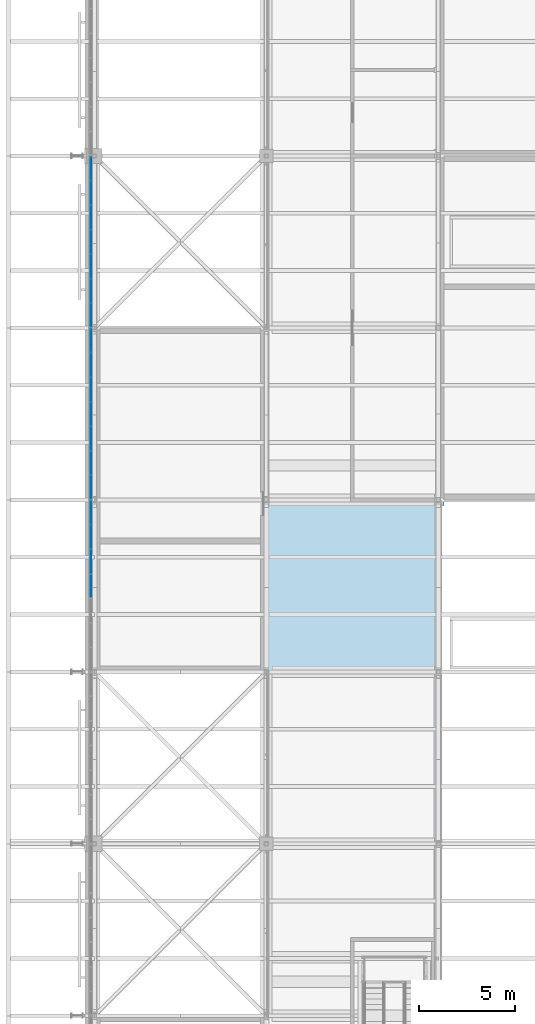
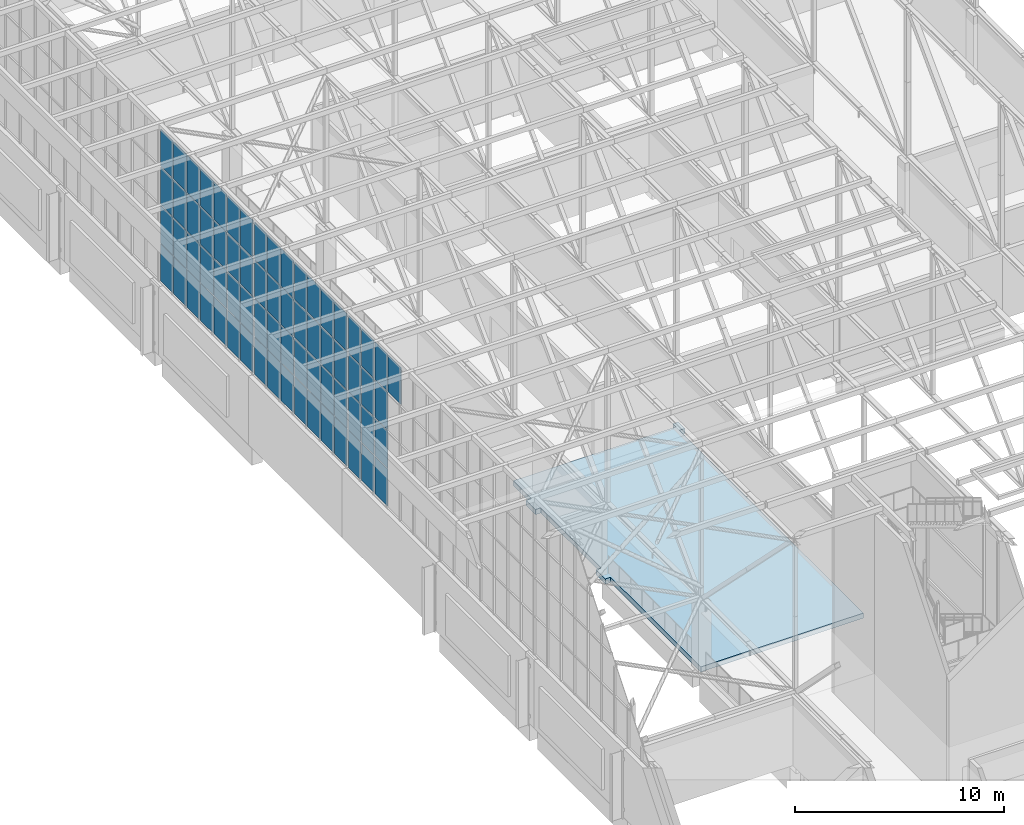
# One storey, part 149 of 646: 69 plates, 1 slab, 3 elements without a shape of their own.
"""IFC4 building model written with IfcOpenShell, lengths in metres."""

from ifc_helpers import new_model, si_unit, direction, frame, origin, origin_2d, place, context, subcontext, project, spatial, polyline, rectangle, outline, extrude, material, layer, layer_set, type_object, element, aggregate, save


model = new_model("IFC4")

# Units and contexts
model_context = context("Model", 3, precision=1e-05, world=origin(), true_north=direction((0.0, 1.0)))
body_context = subcontext(model_context, "Body", "Model", "MODEL_VIEW")
ifc_project = project(units=[si_unit("LENGTHUNIT", "METRE"), si_unit("AREAUNIT", "SQUARE_METRE"), si_unit("VOLUMEUNIT", "CUBIC_METRE"), si_unit("PLANEANGLEUNIT", "RADIAN"), si_unit("MASSUNIT", "GRAM", prefix="KILO")], contexts=[model_context])

# Site, building, storey
site_placement = place(None, origin())
site = spatial("IfcSite", under=ifc_project, at=site_placement, CompositionType="ELEMENT")
building_placement = place(site_placement, origin())
building = spatial("IfcBuilding", under=site, at=building_placement, Name="Silverbay Arena", CompositionType="ELEMENT")
storey_placement = place(building_placement, frame((0.0, 0.0, 33.5)))
storey = spatial("IfcBuildingStorey", under=building, at=storey_placement, Name="L05", CompositionType="ELEMENT", Elevation=33.5)

# Curtain wall, plates
ifc_material_1 = material(Name="Aluminium framed glazing", Category="aluminium")
curtain_wall_type = type_object("IfcCurtainWallType", Name="Curtain wall clerestory 9000 x 9000", PredefinedType="NOTDEFINED", material=ifc_material_1)
curtain_wall_1_placement = place(storey_placement, origin())
curtain_wall_1 = element("IfcCurtainWall", 1, at=curtain_wall_1_placement, inside=storey, type_object=curtain_wall_type, Name="ROOF GABLE CLERESTORY CURTAIN WALL west bay 10", PredefinedType="NOTDEFINED")
ifc_material_2 = material(Name="Laminated glass", Category="glass")
ifc_layer_1 = layer(ifc_material_2, 0.028076171875)
ifc_layer_set_1 = layer_set([ifc_layer_1], Name="Laminated glass")
plate_type = type_object("IfcPlateType", Name="Glass panel 28", PredefinedType="CURTAIN_PANEL", material=ifc_layer_set_1)
plate_1_placement = place(storey_placement, frame((53.820068359375, 94.5, 10.77490234375), z_axis=(0.0, 0.0, 1.0), x_axis=(0.0, 1.0, 0.0)))
plate_1 = element("IfcPlate", 2, at=plate_1_placement, type_object=plate_type, Name="CW60 panel 4.4", PredefinedType="CURTAIN_PANEL", context=body_context, shape_type="SweptSolid", body=[
    extrude(rectangle(XDim=1.225830078125, YDim=0.028076171875, at=origin_2d()), origin(), (0.0, 0.0, 1.0), 2.175048828125),
])
plate_2_placement = place(storey_placement, frame((53.820068359375, 95.78564453125, 4.0498046875), z_axis=(0.0, 0.0, 1.0), x_axis=(0.0, 1.0, 0.0)))
plate_2 = element("IfcPlate", 3, at=plate_2_placement, type_object=plate_type, Name="CW60 panel 5.1", PredefinedType="CURTAIN_PANEL", context=body_context, shape_type="SweptSolid", body=[
    extrude(rectangle(XDim=1.225830078125, YDim=0.028076171875, at=origin_2d()), origin(), (0.0, 0.0, 1.0), 2.175048828125),
])
plate_3_placement = place(storey_placement, frame((53.820068359375, 95.78564453125, 6.27490234375), z_axis=(0.0, 0.0, 1.0), x_axis=(0.0, 1.0, 0.0)))
plate_3 = element("IfcPlate", 4, at=plate_3_placement, type_object=plate_type, Name="CW60 panel 5.2", PredefinedType="CURTAIN_PANEL", context=body_context, shape_type="SweptSolid", body=[
    extrude(rectangle(XDim=1.225830078125, YDim=0.028076171875, at=origin_2d()), origin(), (0.0, 0.0, 1.0), 2.199951171875),
])
plate_4_placement = place(storey_placement, frame((53.820068359375, 95.78564453125, 8.52490234375), z_axis=(0.0, 0.0, 1.0), x_axis=(0.0, 1.0, 0.0)))
plate_4 = element("IfcPlate", 5, at=plate_4_placement, type_object=plate_type, Name="CW60 panel 5.3", PredefinedType="CURTAIN_PANEL", context=body_context, shape_type="SweptSolid", body=[
    extrude(rectangle(XDim=1.225830078125, YDim=0.028076171875, at=origin_2d()), origin(), (0.0, 0.0, 1.0), 2.199951171875),
])
plate_5_placement = place(storey_placement, frame((53.820068359375, 95.78564453125, 10.77490234375), z_axis=(0.0, 0.0, 1.0), x_axis=(0.0, 1.0, 0.0)))
plate_5 = element("IfcPlate", 6, at=plate_5_placement, type_object=plate_type, Name="CW60 panel 5.4", PredefinedType="CURTAIN_PANEL", context=body_context, shape_type="SweptSolid", body=[
    extrude(rectangle(XDim=1.225830078125, YDim=0.028076171875, at=origin_2d()), origin(), (0.0, 0.0, 1.0), 2.175048828125),
])
plate_6_placement = place(storey_placement, frame((53.820068359375, 97.071533203125, 4.0498046875), z_axis=(0.0, 0.0, 1.0), x_axis=(0.0, 1.0, 0.0)))
plate_6 = element("IfcPlate", 7, at=plate_6_placement, type_object=plate_type, Name="CW60 panel 6.1", PredefinedType="CURTAIN_PANEL", context=body_context, shape_type="SweptSolid", body=[
    extrude(rectangle(XDim=1.225830078125, YDim=0.028076171875, at=origin_2d()), origin(), (0.0, 0.0, 1.0), 2.175048828125),
])
plate_7_placement = place(storey_placement, frame((53.820068359375, 97.071533203125, 6.27490234375), z_axis=(0.0, 0.0, 1.0), x_axis=(0.0, 1.0, 0.0)))
plate_7 = element("IfcPlate", 8, at=plate_7_placement, type_object=plate_type, Name="CW60 panel 6.2", PredefinedType="CURTAIN_PANEL", context=body_context, shape_type="SweptSolid", body=[
    extrude(rectangle(XDim=1.225830078125, YDim=0.028076171875, at=origin_2d()), origin(), (0.0, 0.0, 1.0), 2.199951171875),
])
plate_8_placement = place(storey_placement, frame((53.820068359375, 97.071533203125, 8.52490234375), z_axis=(0.0, 0.0, 1.0), x_axis=(0.0, 1.0, 0.0)))
plate_8 = element("IfcPlate", 9, at=plate_8_placement, type_object=plate_type, Name="CW60 panel 6.3", PredefinedType="CURTAIN_PANEL", context=body_context, shape_type="SweptSolid", body=[
    extrude(rectangle(XDim=1.225830078125, YDim=0.028076171875, at=origin_2d()), origin(), (0.0, 0.0, 1.0), 2.199951171875),
])
plate_9_placement = place(storey_placement, frame((53.820068359375, 97.071533203125, 10.77490234375), z_axis=(0.0, 0.0, 1.0), x_axis=(0.0, 1.0, 0.0)))
plate_9 = element("IfcPlate", 10, at=plate_9_placement, type_object=plate_type, Name="CW60 panel 6.4", PredefinedType="CURTAIN_PANEL", context=body_context, shape_type="SweptSolid", body=[
    extrude(rectangle(XDim=1.225830078125, YDim=0.028076171875, at=origin_2d()), origin(), (0.0, 0.0, 1.0), 2.175048828125),
])
plate_10_placement = place(storey_placement, frame((53.820068359375, 98.342041015625, 4.0498046875), z_axis=(0.0, 0.0, 1.0), x_axis=(0.0, 1.0, 0.0)))
plate_10 = element("IfcPlate", 11, at=plate_10_placement, type_object=plate_type, Name="CW60 panel 7.1", PredefinedType="CURTAIN_PANEL", context=body_context, shape_type="SweptSolid", body=[
    extrude(rectangle(XDim=1.19580078125, YDim=0.028076171875, at=origin_2d()), origin(), (0.0, 0.0, 1.0), 2.175048828125),
])
plate_11_placement = place(storey_placement, frame((53.820068359375, 98.342041015625, 6.27490234375), z_axis=(0.0, 0.0, 1.0), x_axis=(0.0, 1.0, 0.0)))
plate_11 = element("IfcPlate", 12, at=plate_11_placement, type_object=plate_type, Name="CW60 panel 7.2", PredefinedType="CURTAIN_PANEL", context=body_context, shape_type="SweptSolid", body=[
    extrude(rectangle(XDim=1.19580078125, YDim=0.028076171875, at=origin_2d()), origin(), (0.0, 0.0, 1.0), 2.199951171875),
])
plate_12_placement = place(storey_placement, frame((53.820068359375, 98.342041015625, 8.52490234375), z_axis=(0.0, 0.0, 1.0), x_axis=(0.0, 1.0, 0.0)))
plate_12 = element("IfcPlate", 13, at=plate_12_placement, type_object=plate_type, Name="CW60 panel 7.3", PredefinedType="CURTAIN_PANEL", context=body_context, shape_type="SweptSolid", body=[
    extrude(rectangle(XDim=1.19580078125, YDim=0.028076171875, at=origin_2d()), origin(), (0.0, 0.0, 1.0), 2.199951171875),
])
plate_13_placement = place(storey_placement, frame((53.820068359375, 98.342041015625, 10.77490234375), z_axis=(0.0, 0.0, 1.0), x_axis=(0.0, 1.0, 0.0)))
plate_13 = element("IfcPlate", 14, at=plate_13_placement, type_object=plate_type, Name="CW60 panel 7.4", PredefinedType="CURTAIN_PANEL", context=body_context, shape_type="SweptSolid", body=[
    extrude(rectangle(XDim=1.19580078125, YDim=0.028076171875, at=origin_2d()), origin(), (0.0, 0.0, 1.0), 2.175048828125),
])
aggregate(curtain_wall_1, [plate_1, plate_2, plate_3, plate_4, plate_5, plate_6, plate_7, plate_8, plate_9, plate_10, plate_11, plate_12, plate_13])

curtain_wall_2_placement = place(storey_placement, origin())
curtain_wall_2 = element("IfcCurtainWall", 15, at=curtain_wall_2_placement, inside=storey, type_object=curtain_wall_type, Name="ROOF GABLE CLERESTORY CURTAIN WALL west bay 11", PredefinedType="NOTDEFINED")
plate_14_placement = place(storey_placement, frame((53.820068359375, 99.657958984375, 4.0498046875), z_axis=(0.0, 0.0, 1.0), x_axis=(0.0, 1.0, 0.0)))
plate_14 = element("IfcPlate", 16, at=plate_14_placement, type_object=plate_type, Name="CW60 panel 1.1", PredefinedType="CURTAIN_PANEL", context=body_context, shape_type="SweptSolid", body=[
    extrude(rectangle(XDim=1.19580078125, YDim=0.028076171875, at=origin_2d()), origin(), (0.0, 0.0, 1.0), 2.175048828125),
])
plate_15_placement = place(storey_placement, frame((53.820068359375, 99.657958984375, 6.27490234375), z_axis=(0.0, 0.0, 1.0), x_axis=(0.0, 1.0, 0.0)))
plate_15 = element("IfcPlate", 17, at=plate_15_placement, type_object=plate_type, Name="CW60 panel 1.2", PredefinedType="CURTAIN_PANEL", context=body_context, shape_type="SweptSolid", body=[
    extrude(rectangle(XDim=1.19580078125, YDim=0.028076171875, at=origin_2d()), origin(), (0.0, 0.0, 1.0), 2.199951171875),
])
plate_16_placement = place(storey_placement, frame((53.820068359375, 99.657958984375, 8.52490234375), z_axis=(0.0, 0.0, 1.0), x_axis=(0.0, 1.0, 0.0)))
plate_16 = element("IfcPlate", 18, at=plate_16_placement, type_object=plate_type, Name="CW60 panel 1.3", PredefinedType="CURTAIN_PANEL", context=body_context, shape_type="SweptSolid", body=[
    extrude(rectangle(XDim=1.19580078125, YDim=0.028076171875, at=origin_2d()), origin(), (0.0, 0.0, 1.0), 2.199951171875),
])
plate_17_placement = place(storey_placement, frame((53.820068359375, 99.657958984375, 10.77490234375), z_axis=(0.0, 0.0, 1.0), x_axis=(0.0, 1.0, 0.0)))
plate_17 = element("IfcPlate", 19, at=plate_17_placement, type_object=plate_type, Name="CW60 panel 1.4", PredefinedType="CURTAIN_PANEL", context=body_context, shape_type="SweptSolid", body=[
    extrude(rectangle(XDim=1.19580078125, YDim=0.028076171875, at=origin_2d()), origin(), (0.0, 0.0, 1.0), 2.175048828125),
])
plate_18_placement = place(storey_placement, frame((53.820068359375, 100.928466796875, 4.0498046875), z_axis=(0.0, 0.0, 1.0), x_axis=(0.0, 1.0, 0.0)))
plate_18 = element("IfcPlate", 20, at=plate_18_placement, type_object=plate_type, Name="CW60 panel 2.1", PredefinedType="CURTAIN_PANEL", context=body_context, shape_type="SweptSolid", body=[
    extrude(rectangle(XDim=1.225830078125, YDim=0.028076171875, at=origin_2d()), origin(), (0.0, 0.0, 1.0), 2.175048828125),
])
plate_19_placement = place(storey_placement, frame((53.820068359375, 100.928466796875, 6.27490234375), z_axis=(0.0, 0.0, 1.0), x_axis=(0.0, 1.0, 0.0)))
plate_19 = element("IfcPlate", 21, at=plate_19_placement, type_object=plate_type, Name="CW60 panel 2.2", PredefinedType="CURTAIN_PANEL", context=body_context, shape_type="SweptSolid", body=[
    extrude(rectangle(XDim=1.225830078125, YDim=0.028076171875, at=origin_2d()), origin(), (0.0, 0.0, 1.0), 2.199951171875),
])
plate_20_placement = place(storey_placement, frame((53.820068359375, 100.928466796875, 8.52490234375), z_axis=(0.0, 0.0, 1.0), x_axis=(0.0, 1.0, 0.0)))
plate_20 = element("IfcPlate", 22, at=plate_20_placement, type_object=plate_type, Name="CW60 panel 2.3", PredefinedType="CURTAIN_PANEL", context=body_context, shape_type="SweptSolid", body=[
    extrude(rectangle(XDim=1.225830078125, YDim=0.028076171875, at=origin_2d()), origin(), (0.0, 0.0, 1.0), 2.199951171875),
])
plate_21_placement = place(storey_placement, frame((53.820068359375, 100.928466796875, 10.77490234375), z_axis=(0.0, 0.0, 1.0), x_axis=(0.0, 1.0, 0.0)))
plate_21 = element("IfcPlate", 23, at=plate_21_placement, type_object=plate_type, Name="CW60 panel 2.4", PredefinedType="CURTAIN_PANEL", context=body_context, shape_type="SweptSolid", body=[
    extrude(rectangle(XDim=1.225830078125, YDim=0.028076171875, at=origin_2d()), origin(), (0.0, 0.0, 1.0), 2.175048828125),
])
plate_22_placement = place(storey_placement, frame((53.820068359375, 102.21435546875, 4.0498046875), z_axis=(0.0, 0.0, 1.0), x_axis=(0.0, 1.0, 0.0)))
plate_22 = element("IfcPlate", 24, at=plate_22_placement, type_object=plate_type, Name="CW60 panel 3.1", PredefinedType="CURTAIN_PANEL", context=body_context, shape_type="SweptSolid", body=[
    extrude(rectangle(XDim=1.225830078125, YDim=0.028076171875, at=origin_2d()), origin(), (0.0, 0.0, 1.0), 2.175048828125),
])
plate_23_placement = place(storey_placement, frame((53.820068359375, 102.21435546875, 6.27490234375), z_axis=(0.0, 0.0, 1.0), x_axis=(0.0, 1.0, 0.0)))
plate_23 = element("IfcPlate", 25, at=plate_23_placement, type_object=plate_type, Name="CW60 panel 3.2", PredefinedType="CURTAIN_PANEL", context=body_context, shape_type="SweptSolid", body=[
    extrude(rectangle(XDim=1.225830078125, YDim=0.028076171875, at=origin_2d()), origin(), (0.0, 0.0, 1.0), 2.199951171875),
])
plate_24_placement = place(storey_placement, frame((53.820068359375, 102.21435546875, 8.52490234375), z_axis=(0.0, 0.0, 1.0), x_axis=(0.0, 1.0, 0.0)))
plate_24 = element("IfcPlate", 26, at=plate_24_placement, type_object=plate_type, Name="CW60 panel 3.3", PredefinedType="CURTAIN_PANEL", context=body_context, shape_type="SweptSolid", body=[
    extrude(rectangle(XDim=1.225830078125, YDim=0.028076171875, at=origin_2d()), origin(), (0.0, 0.0, 1.0), 2.199951171875),
])
plate_25_placement = place(storey_placement, frame((53.820068359375, 102.21435546875, 10.77490234375), z_axis=(0.0, 0.0, 1.0), x_axis=(0.0, 1.0, 0.0)))
plate_25 = element("IfcPlate", 27, at=plate_25_placement, type_object=plate_type, Name="CW60 panel 3.4", PredefinedType="CURTAIN_PANEL", context=body_context, shape_type="SweptSolid", body=[
    extrude(rectangle(XDim=1.225830078125, YDim=0.028076171875, at=origin_2d()), origin(), (0.0, 0.0, 1.0), 2.175048828125),
])
plate_26_placement = place(storey_placement, frame((53.820068359375, 103.5, 4.0498046875), z_axis=(0.0, 0.0, 1.0), x_axis=(0.0, 1.0, 0.0)))
plate_26 = element("IfcPlate", 28, at=plate_26_placement, type_object=plate_type, Name="CW60 panel 4.1", PredefinedType="CURTAIN_PANEL", context=body_context, shape_type="SweptSolid", body=[
    extrude(rectangle(XDim=1.225830078125, YDim=0.028076171875, at=origin_2d()), origin(), (0.0, 0.0, 1.0), 2.175048828125),
])
plate_27_placement = place(storey_placement, frame((53.820068359375, 103.5, 6.27490234375), z_axis=(0.0, 0.0, 1.0), x_axis=(0.0, 1.0, 0.0)))
plate_27 = element("IfcPlate", 29, at=plate_27_placement, type_object=plate_type, Name="CW60 panel 4.2", PredefinedType="CURTAIN_PANEL", context=body_context, shape_type="SweptSolid", body=[
    extrude(rectangle(XDim=1.225830078125, YDim=0.028076171875, at=origin_2d()), origin(), (0.0, 0.0, 1.0), 2.199951171875),
])
plate_28_placement = place(storey_placement, frame((53.820068359375, 103.5, 8.52490234375), z_axis=(0.0, 0.0, 1.0), x_axis=(0.0, 1.0, 0.0)))
plate_28 = element("IfcPlate", 30, at=plate_28_placement, type_object=plate_type, Name="CW60 panel 4.3", PredefinedType="CURTAIN_PANEL", context=body_context, shape_type="SweptSolid", body=[
    extrude(rectangle(XDim=1.225830078125, YDim=0.028076171875, at=origin_2d()), origin(), (0.0, 0.0, 1.0), 2.199951171875),
])
plate_29_placement = place(storey_placement, frame((53.820068359375, 103.5, 10.77490234375), z_axis=(0.0, 0.0, 1.0), x_axis=(0.0, 1.0, 0.0)))
plate_29 = element("IfcPlate", 31, at=plate_29_placement, type_object=plate_type, Name="CW60 panel 4.4", PredefinedType="CURTAIN_PANEL", context=body_context, shape_type="SweptSolid", body=[
    extrude(rectangle(XDim=1.225830078125, YDim=0.028076171875, at=origin_2d()), origin(), (0.0, 0.0, 1.0), 2.175048828125),
])
plate_30_placement = place(storey_placement, frame((53.820068359375, 104.78564453125, 4.0498046875), z_axis=(0.0, 0.0, 1.0), x_axis=(0.0, 1.0, 0.0)))
plate_30 = element("IfcPlate", 32, at=plate_30_placement, type_object=plate_type, Name="CW60 panel 5.1", PredefinedType="CURTAIN_PANEL", context=body_context, shape_type="SweptSolid", body=[
    extrude(rectangle(XDim=1.225830078125, YDim=0.028076171875, at=origin_2d()), origin(), (0.0, 0.0, 1.0), 2.175048828125),
])
plate_31_placement = place(storey_placement, frame((53.820068359375, 104.78564453125, 6.27490234375), z_axis=(0.0, 0.0, 1.0), x_axis=(0.0, 1.0, 0.0)))
plate_31 = element("IfcPlate", 33, at=plate_31_placement, type_object=plate_type, Name="CW60 panel 5.2", PredefinedType="CURTAIN_PANEL", context=body_context, shape_type="SweptSolid", body=[
    extrude(rectangle(XDim=1.225830078125, YDim=0.028076171875, at=origin_2d()), origin(), (0.0, 0.0, 1.0), 2.199951171875),
])
plate_32_placement = place(storey_placement, frame((53.820068359375, 104.78564453125, 8.52490234375), z_axis=(0.0, 0.0, 1.0), x_axis=(0.0, 1.0, 0.0)))
plate_32 = element("IfcPlate", 34, at=plate_32_placement, type_object=plate_type, Name="CW60 panel 5.3", PredefinedType="CURTAIN_PANEL", context=body_context, shape_type="SweptSolid", body=[
    extrude(rectangle(XDim=1.225830078125, YDim=0.028076171875, at=origin_2d()), origin(), (0.0, 0.0, 1.0), 2.199951171875),
])
plate_33_placement = place(storey_placement, frame((53.820068359375, 104.78564453125, 10.77490234375), z_axis=(0.0, 0.0, 1.0), x_axis=(0.0, 1.0, 0.0)))
plate_33 = element("IfcPlate", 35, at=plate_33_placement, type_object=plate_type, Name="CW60 panel 5.4", PredefinedType="CURTAIN_PANEL", context=body_context, shape_type="SweptSolid", body=[
    extrude(rectangle(XDim=1.225830078125, YDim=0.028076171875, at=origin_2d()), origin(), (0.0, 0.0, 1.0), 2.175048828125),
])
plate_34_placement = place(storey_placement, frame((53.820068359375, 106.071533203125, 4.0498046875), z_axis=(0.0, 0.0, 1.0), x_axis=(0.0, 1.0, 0.0)))
plate_34 = element("IfcPlate", 36, at=plate_34_placement, type_object=plate_type, Name="CW60 panel 6.1", PredefinedType="CURTAIN_PANEL", context=body_context, shape_type="SweptSolid", body=[
    extrude(rectangle(XDim=1.225830078125, YDim=0.028076171875, at=origin_2d()), origin(), (0.0, 0.0, 1.0), 2.175048828125),
])
plate_35_placement = place(storey_placement, frame((53.820068359375, 106.071533203125, 6.27490234375), z_axis=(0.0, 0.0, 1.0), x_axis=(0.0, 1.0, 0.0)))
plate_35 = element("IfcPlate", 37, at=plate_35_placement, type_object=plate_type, Name="CW60 panel 6.2", PredefinedType="CURTAIN_PANEL", context=body_context, shape_type="SweptSolid", body=[
    extrude(rectangle(XDim=1.225830078125, YDim=0.028076171875, at=origin_2d()), origin(), (0.0, 0.0, 1.0), 2.199951171875),
])
plate_36_placement = place(storey_placement, frame((53.820068359375, 106.071533203125, 8.52490234375), z_axis=(0.0, 0.0, 1.0), x_axis=(0.0, 1.0, 0.0)))
plate_36 = element("IfcPlate", 38, at=plate_36_placement, type_object=plate_type, Name="CW60 panel 6.3", PredefinedType="CURTAIN_PANEL", context=body_context, shape_type="SweptSolid", body=[
    extrude(rectangle(XDim=1.225830078125, YDim=0.028076171875, at=origin_2d()), origin(), (0.0, 0.0, 1.0), 2.199951171875),
])
plate_37_placement = place(storey_placement, frame((53.820068359375, 106.071533203125, 10.77490234375), z_axis=(0.0, 0.0, 1.0), x_axis=(0.0, 1.0, 0.0)))
plate_37 = element("IfcPlate", 39, at=plate_37_placement, type_object=plate_type, Name="CW60 panel 6.4", PredefinedType="CURTAIN_PANEL", context=body_context, shape_type="SweptSolid", body=[
    extrude(rectangle(XDim=1.225830078125, YDim=0.028076171875, at=origin_2d()), origin(), (0.0, 0.0, 1.0), 2.175048828125),
])
plate_38_placement = place(storey_placement, frame((53.820068359375, 107.342041015625, 4.0498046875), z_axis=(0.0, 0.0, 1.0), x_axis=(0.0, 1.0, 0.0)))
plate_38 = element("IfcPlate", 40, at=plate_38_placement, type_object=plate_type, Name="CW60 panel 7.1", PredefinedType="CURTAIN_PANEL", context=body_context, shape_type="SweptSolid", body=[
    extrude(rectangle(XDim=1.19580078125, YDim=0.028076171875, at=origin_2d()), origin(), (0.0, 0.0, 1.0), 2.175048828125),
])
plate_39_placement = place(storey_placement, frame((53.820068359375, 107.342041015625, 6.27490234375), z_axis=(0.0, 0.0, 1.0), x_axis=(0.0, 1.0, 0.0)))
plate_39 = element("IfcPlate", 41, at=plate_39_placement, type_object=plate_type, Name="CW60 panel 7.2", PredefinedType="CURTAIN_PANEL", context=body_context, shape_type="SweptSolid", body=[
    extrude(rectangle(XDim=1.19580078125, YDim=0.028076171875, at=origin_2d()), origin(), (0.0, 0.0, 1.0), 2.199951171875),
])
plate_40_placement = place(storey_placement, frame((53.820068359375, 107.342041015625, 8.52490234375), z_axis=(0.0, 0.0, 1.0), x_axis=(0.0, 1.0, 0.0)))
plate_40 = element("IfcPlate", 42, at=plate_40_placement, type_object=plate_type, Name="CW60 panel 7.3", PredefinedType="CURTAIN_PANEL", context=body_context, shape_type="SweptSolid", body=[
    extrude(rectangle(XDim=1.19580078125, YDim=0.028076171875, at=origin_2d()), origin(), (0.0, 0.0, 1.0), 2.199951171875),
])
plate_41_placement = place(storey_placement, frame((53.820068359375, 107.342041015625, 10.77490234375), z_axis=(0.0, 0.0, 1.0), x_axis=(0.0, 1.0, 0.0)))
plate_41 = element("IfcPlate", 43, at=plate_41_placement, type_object=plate_type, Name="CW60 panel 7.4", PredefinedType="CURTAIN_PANEL", context=body_context, shape_type="SweptSolid", body=[
    extrude(rectangle(XDim=1.19580078125, YDim=0.028076171875, at=origin_2d()), origin(), (0.0, 0.0, 1.0), 2.175048828125),
])
aggregate(curtain_wall_2, [plate_14, plate_15, plate_16, plate_17, plate_18, plate_19, plate_20, plate_21, plate_22, plate_23, plate_24, plate_25, plate_26, plate_27, plate_28, plate_29, plate_30, plate_31, plate_32, plate_33, plate_34, plate_35, plate_36, plate_37, plate_38, plate_39, plate_40, plate_41])

curtain_wall_3_placement = place(storey_placement, origin())
curtain_wall_3 = element("IfcCurtainWall", 44, at=curtain_wall_3_placement, inside=storey, type_object=curtain_wall_type, Name="ROOF GABLE CLERESTORY CURTAIN WALL west bay 12", PredefinedType="NOTDEFINED")
plate_42_placement = place(storey_placement, frame((53.820068359375, 108.657958984375, 4.0498046875), z_axis=(0.0, 0.0, 1.0), x_axis=(0.0, 1.0, 0.0)))
plate_42 = element("IfcPlate", 45, at=plate_42_placement, type_object=plate_type, Name="CW60 panel 1.1", PredefinedType="CURTAIN_PANEL", context=body_context, shape_type="SweptSolid", body=[
    extrude(rectangle(XDim=1.19580078125, YDim=0.028076171875, at=origin_2d()), origin(), (0.0, 0.0, 1.0), 2.175048828125),
])
plate_43_placement = place(storey_placement, frame((53.820068359375, 108.657958984375, 6.27490234375), z_axis=(0.0, 0.0, 1.0), x_axis=(0.0, 1.0, 0.0)))
plate_43 = element("IfcPlate", 46, at=plate_43_placement, type_object=plate_type, Name="CW60 panel 1.2", PredefinedType="CURTAIN_PANEL", context=body_context, shape_type="SweptSolid", body=[
    extrude(rectangle(XDim=1.19580078125, YDim=0.028076171875, at=origin_2d()), origin(), (0.0, 0.0, 1.0), 2.199951171875),
])
plate_44_placement = place(storey_placement, frame((53.820068359375, 108.657958984375, 8.52490234375), z_axis=(0.0, 0.0, 1.0), x_axis=(0.0, 1.0, 0.0)))
plate_44 = element("IfcPlate", 47, at=plate_44_placement, type_object=plate_type, Name="CW60 panel 1.3", PredefinedType="CURTAIN_PANEL", context=body_context, shape_type="SweptSolid", body=[
    extrude(rectangle(XDim=1.19580078125, YDim=0.028076171875, at=origin_2d()), origin(), (0.0, 0.0, 1.0), 2.199951171875),
])
plate_45_placement = place(storey_placement, frame((53.820068359375, 108.657958984375, 10.77490234375), z_axis=(0.0, 0.0, 1.0), x_axis=(0.0, 1.0, 0.0)))
plate_45 = element("IfcPlate", 48, at=plate_45_placement, type_object=plate_type, Name="CW60 panel 1.4", PredefinedType="CURTAIN_PANEL", context=body_context, shape_type="SweptSolid", body=[
    extrude(rectangle(XDim=1.19580078125, YDim=0.028076171875, at=origin_2d()), origin(), (0.0, 0.0, 1.0), 2.175048828125),
])
plate_46_placement = place(storey_placement, frame((53.820068359375, 109.928466796875, 4.0498046875), z_axis=(0.0, 0.0, 1.0), x_axis=(0.0, 1.0, 0.0)))
plate_46 = element("IfcPlate", 49, at=plate_46_placement, type_object=plate_type, Name="CW60 panel 2.1", PredefinedType="CURTAIN_PANEL", context=body_context, shape_type="SweptSolid", body=[
    extrude(rectangle(XDim=1.225830078125, YDim=0.028076171875, at=origin_2d()), origin(), (0.0, 0.0, 1.0), 2.175048828125),
])
plate_47_placement = place(storey_placement, frame((53.820068359375, 109.928466796875, 6.27490234375), z_axis=(0.0, 0.0, 1.0), x_axis=(0.0, 1.0, 0.0)))
plate_47 = element("IfcPlate", 50, at=plate_47_placement, type_object=plate_type, Name="CW60 panel 2.2", PredefinedType="CURTAIN_PANEL", context=body_context, shape_type="SweptSolid", body=[
    extrude(rectangle(XDim=1.225830078125, YDim=0.028076171875, at=origin_2d()), origin(), (0.0, 0.0, 1.0), 2.199951171875),
])
plate_48_placement = place(storey_placement, frame((53.820068359375, 109.928466796875, 8.52490234375), z_axis=(0.0, 0.0, 1.0), x_axis=(0.0, 1.0, 0.0)))
plate_48 = element("IfcPlate", 51, at=plate_48_placement, type_object=plate_type, Name="CW60 panel 2.3", PredefinedType="CURTAIN_PANEL", context=body_context, shape_type="SweptSolid", body=[
    extrude(rectangle(XDim=1.225830078125, YDim=0.028076171875, at=origin_2d()), origin(), (0.0, 0.0, 1.0), 2.199951171875),
])
plate_49_placement = place(storey_placement, frame((53.820068359375, 109.928466796875, 10.77490234375), z_axis=(0.0, 0.0, 1.0), x_axis=(0.0, 1.0, 0.0)))
plate_49 = element("IfcPlate", 52, at=plate_49_placement, type_object=plate_type, Name="CW60 panel 2.4", PredefinedType="CURTAIN_PANEL", context=body_context, shape_type="SweptSolid", body=[
    extrude(rectangle(XDim=1.225830078125, YDim=0.028076171875, at=origin_2d()), origin(), (0.0, 0.0, 1.0), 2.175048828125),
])
plate_50_placement = place(storey_placement, frame((53.820068359375, 111.21435546875, 4.0498046875), z_axis=(0.0, 0.0, 1.0), x_axis=(0.0, 1.0, 0.0)))
plate_50 = element("IfcPlate", 53, at=plate_50_placement, type_object=plate_type, Name="CW60 panel 3.1", PredefinedType="CURTAIN_PANEL", context=body_context, shape_type="SweptSolid", body=[
    extrude(rectangle(XDim=1.225830078125, YDim=0.028076171875, at=origin_2d()), origin(), (0.0, 0.0, 1.0), 2.175048828125),
])
plate_51_placement = place(storey_placement, frame((53.820068359375, 111.21435546875, 6.27490234375), z_axis=(0.0, 0.0, 1.0), x_axis=(0.0, 1.0, 0.0)))
plate_51 = element("IfcPlate", 54, at=plate_51_placement, type_object=plate_type, Name="CW60 panel 3.2", PredefinedType="CURTAIN_PANEL", context=body_context, shape_type="SweptSolid", body=[
    extrude(rectangle(XDim=1.225830078125, YDim=0.028076171875, at=origin_2d()), origin(), (0.0, 0.0, 1.0), 2.199951171875),
])
plate_52_placement = place(storey_placement, frame((53.820068359375, 111.21435546875, 8.52490234375), z_axis=(0.0, 0.0, 1.0), x_axis=(0.0, 1.0, 0.0)))
plate_52 = element("IfcPlate", 55, at=plate_52_placement, type_object=plate_type, Name="CW60 panel 3.3", PredefinedType="CURTAIN_PANEL", context=body_context, shape_type="SweptSolid", body=[
    extrude(rectangle(XDim=1.225830078125, YDim=0.028076171875, at=origin_2d()), origin(), (0.0, 0.0, 1.0), 2.199951171875),
])
plate_53_placement = place(storey_placement, frame((53.820068359375, 111.21435546875, 10.77490234375), z_axis=(0.0, 0.0, 1.0), x_axis=(0.0, 1.0, 0.0)))
plate_53 = element("IfcPlate", 56, at=plate_53_placement, type_object=plate_type, Name="CW60 panel 3.4", PredefinedType="CURTAIN_PANEL", context=body_context, shape_type="SweptSolid", body=[
    extrude(rectangle(XDim=1.225830078125, YDim=0.028076171875, at=origin_2d()), origin(), (0.0, 0.0, 1.0), 2.175048828125),
])
plate_54_placement = place(storey_placement, frame((53.820068359375, 112.5, 4.0498046875), z_axis=(0.0, 0.0, 1.0), x_axis=(0.0, 1.0, 0.0)))
plate_54 = element("IfcPlate", 57, at=plate_54_placement, type_object=plate_type, Name="CW60 panel 4.1", PredefinedType="CURTAIN_PANEL", context=body_context, shape_type="SweptSolid", body=[
    extrude(rectangle(XDim=1.225830078125, YDim=0.028076171875, at=origin_2d()), origin(), (0.0, 0.0, 1.0), 2.175048828125),
])
plate_55_placement = place(storey_placement, frame((53.820068359375, 112.5, 6.27490234375), z_axis=(0.0, 0.0, 1.0), x_axis=(0.0, 1.0, 0.0)))
plate_55 = element("IfcPlate", 58, at=plate_55_placement, type_object=plate_type, Name="CW60 panel 4.2", PredefinedType="CURTAIN_PANEL", context=body_context, shape_type="SweptSolid", body=[
    extrude(rectangle(XDim=1.225830078125, YDim=0.028076171875, at=origin_2d()), origin(), (0.0, 0.0, 1.0), 2.199951171875),
])
plate_56_placement = place(storey_placement, frame((53.820068359375, 112.5, 8.52490234375), z_axis=(0.0, 0.0, 1.0), x_axis=(0.0, 1.0, 0.0)))
plate_56 = element("IfcPlate", 59, at=plate_56_placement, type_object=plate_type, Name="CW60 panel 4.3", PredefinedType="CURTAIN_PANEL", context=body_context, shape_type="SweptSolid", body=[
    extrude(rectangle(XDim=1.225830078125, YDim=0.028076171875, at=origin_2d()), origin(), (0.0, 0.0, 1.0), 2.199951171875),
])
plate_57_placement = place(storey_placement, frame((53.820068359375, 112.5, 10.77490234375), z_axis=(0.0, 0.0, 1.0), x_axis=(0.0, 1.0, 0.0)))
plate_57 = element("IfcPlate", 60, at=plate_57_placement, type_object=plate_type, Name="CW60 panel 4.4", PredefinedType="CURTAIN_PANEL", context=body_context, shape_type="SweptSolid", body=[
    extrude(rectangle(XDim=1.225830078125, YDim=0.028076171875, at=origin_2d()), origin(), (0.0, 0.0, 1.0), 2.175048828125),
])
plate_58_placement = place(storey_placement, frame((53.820068359375, 113.78564453125, 4.0498046875), z_axis=(0.0, 0.0, 1.0), x_axis=(0.0, 1.0, 0.0)))
plate_58 = element("IfcPlate", 61, at=plate_58_placement, type_object=plate_type, Name="CW60 panel 5.1", PredefinedType="CURTAIN_PANEL", context=body_context, shape_type="SweptSolid", body=[
    extrude(rectangle(XDim=1.225830078125, YDim=0.028076171875, at=origin_2d()), origin(), (0.0, 0.0, 1.0), 2.175048828125),
])
plate_59_placement = place(storey_placement, frame((53.820068359375, 113.78564453125, 6.27490234375), z_axis=(0.0, 0.0, 1.0), x_axis=(0.0, 1.0, 0.0)))
plate_59 = element("IfcPlate", 62, at=plate_59_placement, type_object=plate_type, Name="CW60 panel 5.2", PredefinedType="CURTAIN_PANEL", context=body_context, shape_type="SweptSolid", body=[
    extrude(rectangle(XDim=1.225830078125, YDim=0.028076171875, at=origin_2d()), origin(), (0.0, 0.0, 1.0), 2.199951171875),
])
plate_60_placement = place(storey_placement, frame((53.820068359375, 113.78564453125, 8.52490234375), z_axis=(0.0, 0.0, 1.0), x_axis=(0.0, 1.0, 0.0)))
plate_60 = element("IfcPlate", 63, at=plate_60_placement, type_object=plate_type, Name="CW60 panel 5.3", PredefinedType="CURTAIN_PANEL", context=body_context, shape_type="SweptSolid", body=[
    extrude(rectangle(XDim=1.225830078125, YDim=0.028076171875, at=origin_2d()), origin(), (0.0, 0.0, 1.0), 2.199951171875),
])
plate_61_placement = place(storey_placement, frame((53.820068359375, 113.78564453125, 10.77490234375), z_axis=(0.0, 0.0, 1.0), x_axis=(0.0, 1.0, 0.0)))
plate_61 = element("IfcPlate", 64, at=plate_61_placement, type_object=plate_type, Name="CW60 panel 5.4", PredefinedType="CURTAIN_PANEL", context=body_context, shape_type="SweptSolid", body=[
    extrude(rectangle(XDim=1.225830078125, YDim=0.028076171875, at=origin_2d()), origin(), (0.0, 0.0, 1.0), 2.175048828125),
])
plate_62_placement = place(storey_placement, frame((53.820068359375, 115.071533203125, 4.0498046875), z_axis=(0.0, 0.0, 1.0), x_axis=(0.0, 1.0, 0.0)))
plate_62 = element("IfcPlate", 65, at=plate_62_placement, type_object=plate_type, Name="CW60 panel 6.1", PredefinedType="CURTAIN_PANEL", context=body_context, shape_type="SweptSolid", body=[
    extrude(rectangle(XDim=1.225830078125, YDim=0.028076171875, at=origin_2d()), origin(), (0.0, 0.0, 1.0), 2.175048828125),
])
plate_63_placement = place(storey_placement, frame((53.820068359375, 115.071533203125, 6.27490234375), z_axis=(0.0, 0.0, 1.0), x_axis=(0.0, 1.0, 0.0)))
plate_63 = element("IfcPlate", 66, at=plate_63_placement, type_object=plate_type, Name="CW60 panel 6.2", PredefinedType="CURTAIN_PANEL", context=body_context, shape_type="SweptSolid", body=[
    extrude(rectangle(XDim=1.225830078125, YDim=0.028076171875, at=origin_2d()), origin(), (0.0, 0.0, 1.0), 2.199951171875),
])
plate_64_placement = place(storey_placement, frame((53.820068359375, 115.071533203125, 8.52490234375), z_axis=(0.0, 0.0, 1.0), x_axis=(0.0, 1.0, 0.0)))
plate_64 = element("IfcPlate", 67, at=plate_64_placement, type_object=plate_type, Name="CW60 panel 6.3", PredefinedType="CURTAIN_PANEL", context=body_context, shape_type="SweptSolid", body=[
    extrude(rectangle(XDim=1.225830078125, YDim=0.028076171875, at=origin_2d()), origin(), (0.0, 0.0, 1.0), 2.199951171875),
])
plate_65_placement = place(storey_placement, frame((53.820068359375, 115.071533203125, 10.77490234375), z_axis=(0.0, 0.0, 1.0), x_axis=(0.0, 1.0, 0.0)))
plate_65 = element("IfcPlate", 68, at=plate_65_placement, type_object=plate_type, Name="CW60 panel 6.4", PredefinedType="CURTAIN_PANEL", context=body_context, shape_type="SweptSolid", body=[
    extrude(rectangle(XDim=1.225830078125, YDim=0.028076171875, at=origin_2d()), origin(), (0.0, 0.0, 1.0), 2.175048828125),
])
plate_66_placement = place(storey_placement, frame((53.820068359375, 116.342041015625, 4.0498046875), z_axis=(0.0, 0.0, 1.0), x_axis=(0.0, 1.0, 0.0)))
plate_66 = element("IfcPlate", 69, at=plate_66_placement, type_object=plate_type, Name="CW60 panel 7.1", PredefinedType="CURTAIN_PANEL", context=body_context, shape_type="SweptSolid", body=[
    extrude(rectangle(XDim=1.19580078125, YDim=0.028076171875, at=origin_2d()), origin(), (0.0, 0.0, 1.0), 2.175048828125),
])
plate_67_placement = place(storey_placement, frame((53.820068359375, 116.342041015625, 6.27490234375), z_axis=(0.0, 0.0, 1.0), x_axis=(0.0, 1.0, 0.0)))
plate_67 = element("IfcPlate", 70, at=plate_67_placement, type_object=plate_type, Name="CW60 panel 7.2", PredefinedType="CURTAIN_PANEL", context=body_context, shape_type="SweptSolid", body=[
    extrude(rectangle(XDim=1.19580078125, YDim=0.028076171875, at=origin_2d()), origin(), (0.0, 0.0, 1.0), 2.199951171875),
])
plate_68_placement = place(storey_placement, frame((53.820068359375, 116.342041015625, 8.52490234375), z_axis=(0.0, 0.0, 1.0), x_axis=(0.0, 1.0, 0.0)))
plate_68 = element("IfcPlate", 71, at=plate_68_placement, type_object=plate_type, Name="CW60 panel 7.3", PredefinedType="CURTAIN_PANEL", context=body_context, shape_type="SweptSolid", body=[
    extrude(rectangle(XDim=1.19580078125, YDim=0.028076171875, at=origin_2d()), origin(), (0.0, 0.0, 1.0), 2.199951171875),
])
plate_69_placement = place(storey_placement, frame((53.820068359375, 116.342041015625, 10.77490234375), z_axis=(0.0, 0.0, 1.0), x_axis=(0.0, 1.0, 0.0)))
plate_69 = element("IfcPlate", 72, at=plate_69_placement, type_object=plate_type, Name="CW60 panel 7.4", PredefinedType="CURTAIN_PANEL", context=body_context, shape_type="SweptSolid", body=[
    extrude(rectangle(XDim=1.19580078125, YDim=0.028076171875, at=origin_2d()), origin(), (0.0, 0.0, 1.0), 2.175048828125),
])
aggregate(curtain_wall_3, [plate_42, plate_43, plate_44, plate_45, plate_46, plate_47, plate_48, plate_49, plate_50, plate_51, plate_52, plate_53, plate_54, plate_55, plate_56, plate_57, plate_58, plate_59, plate_60, plate_61, plate_62, plate_63, plate_64, plate_65, plate_66, plate_67, plate_68, plate_69])

# Slab
ifc_material_3 = material(Name="Concrete Grade C45", Category="concrete")
ifc_layer_2 = layer(ifc_material_3, 0.300048828125)
ifc_layer_set_2 = layer_set([ifc_layer_2], Name="Concrete Grade C45")
slab_type = type_object("IfcSlabType", Name="RC floor slab 300", PredefinedType="FLOOR", material=ifc_layer_set_2)
slab_placement = place(storey_placement, frame((0.0, 0.0, -0.300048828125)))
element("IfcSlab", 73, at=slab_placement, inside=storey, type_object=slab_type, Name="Floor slab L05 unit 6 B", PredefinedType="FLOOR", context=body_context, shape_type="SweptSolid", body=[
    extrude(outline(polyline([(63.0, 89.699951171875), (62.699951171875, 89.699951171875), (62.699951171875, 90.60009765625), (63.0, 90.60009765625), (63.0, 96.39990234375), (62.699951171875, 96.39990234375), (62.699951171875, 97.300048828125), (63.0, 97.300048828125), (63.0, 99.02490234375), (72.0, 99.02490234375), (72.0, 99.324951171875), (72.300048828125, 99.324951171875), (72.300048828125, 98.699951171875), (72.0, 98.699951171875), (72.0, 81.050048828125), (63.0, 81.050048828125), (63.0, 89.699951171875)])), origin(), (0.0, 0.0, 1.0), 0.300048828125),
])

save(model, "model.ifc")
